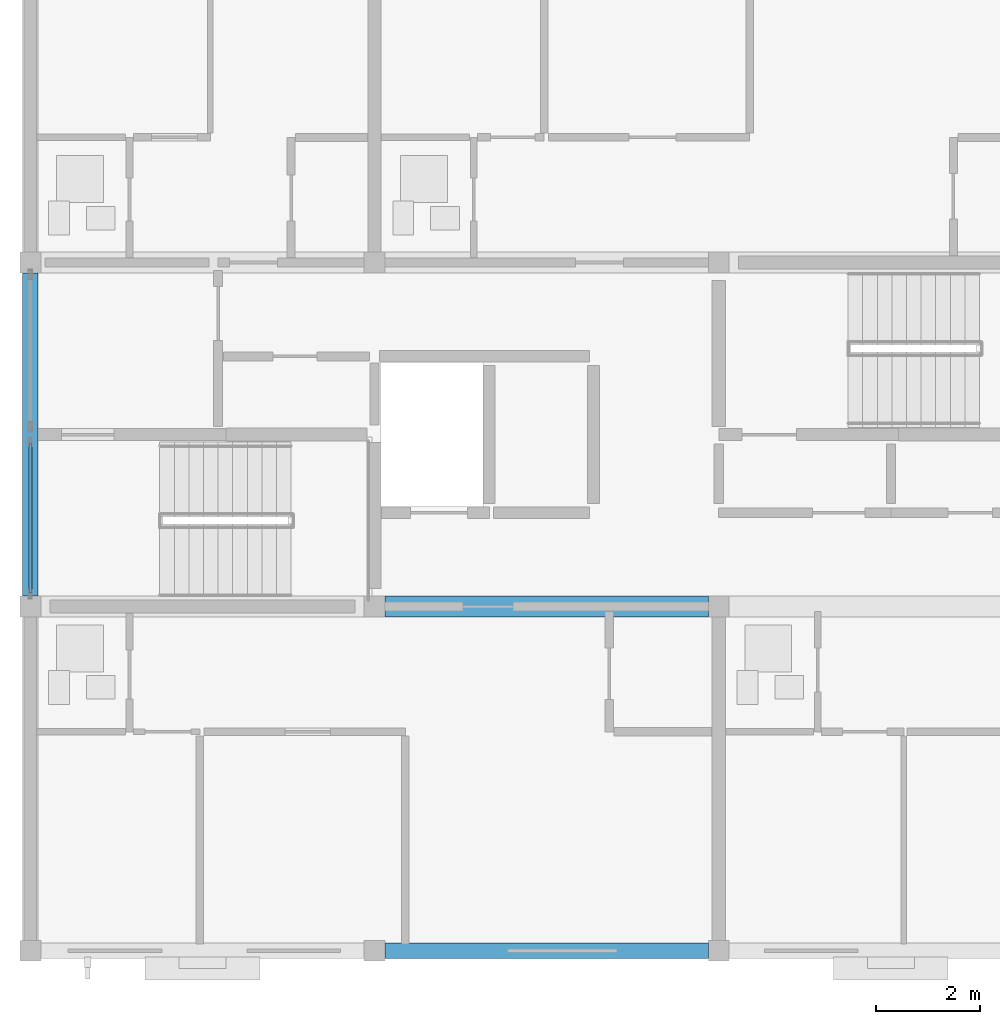
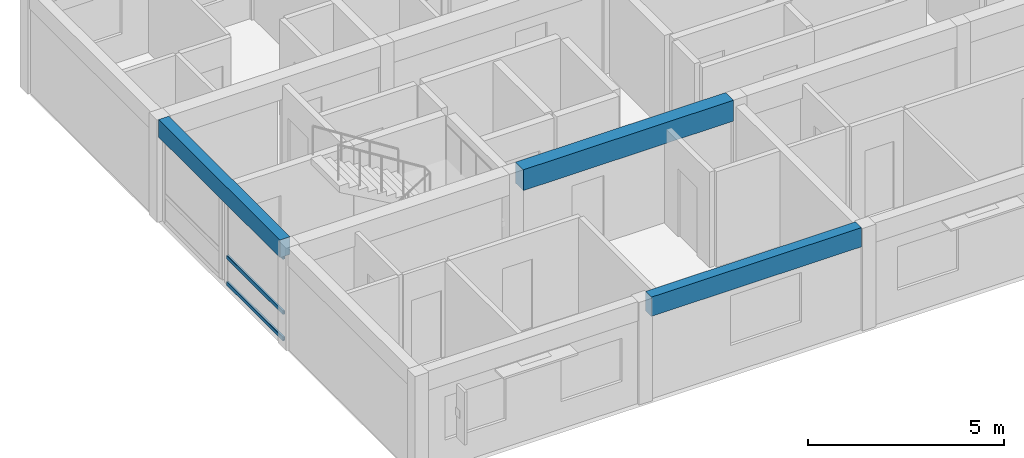
# One storey, part 3 of 15: 3 beams, 3 members, 1 element without a shape of its own.
"""IFC4 building model written with IfcOpenShell, lengths in metres."""

import ifcopenshell
import ifcopenshell.guid

model = None  # the IFC model being written
_history = None  # IfcOwnerHistory: only IFC2X3 demands one
_inside = {}  # id of a spatial element -> (the spatial element, [elements in it])
_under = {}  # id of a project, library or spatial element -> (it, [spatial elements below it])
_declared = {}  # id of a project -> (the project, [libraries it declares])
_typed = {}  # id of a type object -> (the type object, [elements of that type])
_made_of = {}  # id of a material, layer set ... -> (it, [elements and type objects made of it])


def new_model(schema):
    """Start an empty IFC model of exactly this schema.

    Asked for "IFC4X3", IfcOpenShell would pick the latest addendum, in which some entities
    have other attributes; the version numbers below select the first issue.
    IFC2X3 requires an IfcOwnerHistory on every rooted entity: one is made here for all.
    """
    global model, _history
    if schema == "IFC4X3":
        model = ifcopenshell.file(schema_version=(4, 3, 0, 0))
    else:
        model = ifcopenshell.file(schema=schema)
    _inside.clear()
    _under.clear()
    _declared.clear()
    _typed.clear()
    _made_of.clear()
    _history = None
    if model.schema == "IFC2X3":
        org = make("IfcOrganization", Name="unknown")
        user = make(
            "IfcPersonAndOrganization",
            ThePerson=make("IfcPerson", FamilyName="unknown"),
            TheOrganization=org,
        )
        app = make(
            "IfcApplication",
            ApplicationDeveloper=org,
            Version="unknown",
            ApplicationFullName="unknown",
            ApplicationIdentifier="unknown",
        )
        _history = make(
            "IfcOwnerHistory",
            OwningUser=user,
            OwningApplication=app,
            ChangeAction="ADDED",
            CreationDate=0,
        )
    return model


def make(cls, **values):
    """One entity of the class cls with the attributes given. An attribute that is None is left unset."""
    return model.create_entity(
        cls, **{name: value for name, value in values.items() if value is not None}
    )


def rooted(cls, **values):
    """An entity with a GlobalId (a new one), such as an element, a storey or a relation."""
    return make(cls, GlobalId=ifcopenshell.guid.new(), OwnerHistory=_history, **values)


def si_unit(unit_type, name, prefix=None):
    """IfcSIUnit, for example si_unit("LENGTHUNIT", "METRE", prefix="MILLI")."""
    return make("IfcSIUnit", UnitType=unit_type, Prefix=prefix, Name=name)


def assignment(units):
    """IfcUnitAssignment: the units of a project."""
    return None if units is None else make("IfcUnitAssignment", Units=units)


def point(xyz):
    """IfcCartesianPoint."""
    return None if xyz is None else make("IfcCartesianPoint", Coordinates=xyz)


def direction(xyz):
    """IfcDirection."""
    return None if xyz is None else make("IfcDirection", DirectionRatios=xyz)


def frame(location, z_axis=None, x_axis=None):
    """IfcAxis2Placement3D, a coordinate frame: its origin and axes. An axis left out is left unset."""
    return make(
        "IfcAxis2Placement3D",
        Location=point(location),
        Axis=direction(z_axis),
        RefDirection=direction(x_axis),
    )


def frame_2d(location, x_axis=None):
    """IfcAxis2Placement2D, a coordinate frame in the plane: its origin and x axis."""
    return make(
        "IfcAxis2Placement2D", Location=point(location), RefDirection=direction(x_axis)
    )


def origin():
    """The frame at (0, 0, 0) with its axes left unset."""
    return frame((0.0, 0.0, 0.0))


def origin_2d():
    """The frame at (0, 0) in the plane with its x axis left unset."""
    return frame_2d((0.0, 0.0))


def place(relative_to, where):
    """IfcLocalPlacement: puts the frame where relative to a parent placement (None: the world)."""
    return make(
        "IfcLocalPlacement", PlacementRelTo=relative_to, RelativePlacement=where
    )


def context(
    kind, dimensions, precision=None, world=None, true_north=None, identifier=None
):
    """IfcGeometricRepresentationContext, for example the 3D "Model" context."""
    return make(
        "IfcGeometricRepresentationContext",
        ContextIdentifier=identifier,
        ContextType=kind,
        CoordinateSpaceDimension=dimensions,
        Precision=precision,
        WorldCoordinateSystem=world,
        TrueNorth=true_north,
    )


def subcontext(parent, identifier, kind, view, scale=None):
    """IfcGeometricRepresentationSubContext, for example "Body" below "Model"."""
    return make(
        "IfcGeometricRepresentationSubContext",
        ContextIdentifier=identifier,
        ContextType=kind,
        ParentContext=parent,
        TargetScale=scale,
        TargetView=view,
    )


def project(units=None, contexts=None):
    """IfcProject with its units and contexts."""
    return rooted(
        "IfcProject",
        Name="project",
        RepresentationContexts=contexts,
        UnitsInContext=assignment(units),
    )


def spatial(cls, under=None, at=None, **own):
    """A site, building, storey or space (cls), placed at a placement, below another one or the project."""
    s = rooted(cls, ObjectPlacement=at, **own)
    if under is not None:
        _under.setdefault(under.id(), (under, []))[1].append(s)
    return s


def profile(cls, at=None, kind="AREA", **sizes):
    """A parametric profile (cls). Its sizes go by their IFC names, for example OverallWidth=200.0."""
    return make(cls, ProfileType=kind, Position=at, **sizes)


def rectangle(**sizes):
    """IfcRectangleProfileDef."""
    return profile("IfcRectangleProfileDef", **sizes)


def hollow_rectangle(**sizes):
    """IfcRectangleHollowProfileDef."""
    return profile("IfcRectangleHollowProfileDef", **sizes)


def extrude(swept, where, along, depth):
    """IfcExtrudedAreaSolid: the profile swept, set in the frame where, extruded along a direction by depth."""
    return make(
        "IfcExtrudedAreaSolid",
        SweptArea=swept,
        Position=where,
        ExtrudedDirection=direction(along),
        Depth=depth,
    )


def shape(context_of_items, identifier, shape_type, items):
    """IfcShapeRepresentation: the items that make up one representation, for example the "Body"."""
    return make(
        "IfcShapeRepresentation",
        ContextOfItems=context_of_items,
        RepresentationIdentifier=identifier,
        RepresentationType=shape_type,
        Items=items,
    )


def material(Name=None, Category=None):
    """IfcMaterial."""
    return make("IfcMaterial", Name=Name, Category=Category)


def material_profile(
    of_material, cross_section, Name=None, Category=None, Priority=None
):
    """IfcMaterialProfile: a cross section and its material."""
    return make(
        "IfcMaterialProfile",
        Name=Name,
        Material=of_material,
        Profile=cross_section,
        Priority=Priority,
        Category=Category,
    )


def profile_set(profiles, Name=None, composite=None):
    """IfcMaterialProfileSet."""
    return make(
        "IfcMaterialProfileSet",
        Name=Name,
        MaterialProfiles=profiles,
        CompositeProfile=composite,
    )


def made_of(thing, what):
    """Note that an element or type object is made of a material, layer set ...; save() writes the relation."""
    if what is not None:
        _made_of.setdefault(what.id(), (what, []))[1].append(thing)
    return thing


def type_object(cls, material=None, **own):
    """A type object (cls), such as IfcWallType, which elements share."""
    return made_of(rooted(cls, **own), material)


def element(
    cls,
    number,
    at=None,
    inside=None,
    cuts=None,
    type_object=None,
    material=None,
    context=None,
    identifier="Body",
    shape_type=None,
    held_by="IfcProductDefinitionShape",
    body=None,
    shapes=None,
    **own,
):
    """One element of the class cls, such as IfcWall. Its Tag is "e" and its number.

    at: its placement. inside: the storey or other place that contains it. cuts: it is an
    opening in that element (IfcRelVoidsElement). A single representation is given by context,
    identifier, shape_type and body (its items); several are given by shapes. held_by: the class
    of the entity that holds the representations. save() writes the other relations.
    """
    e = rooted(cls, Tag="e%d" % number, ObjectPlacement=at, **own)
    if body is not None:
        shapes = [shape(context, identifier, shape_type, body)]
    if shapes is not None:
        e.Representation = make(held_by, Representations=shapes)
    if inside is not None:
        _inside.setdefault(inside.id(), (inside, []))[1].append(e)
    if cuts is not None:
        rooted(
            "IfcRelVoidsElement", RelatingBuildingElement=cuts, RelatedOpeningElement=e
        )
    if type_object is not None:
        _typed.setdefault(type_object.id(), (type_object, []))[1].append(e)
    return made_of(e, material)


def aggregate(whole, parts):
    """IfcRelAggregates: a whole, such as a stair, and the parts it consists of."""
    return rooted("IfcRelAggregates", RelatingObject=whole, RelatedObjects=parts)


def save(model, path):
    """Write the relations noted so far, then the file.

    IfcRelAggregates (storeys below a building ...), IfcRelContainedInSpatialStructure (elements
    in a storey), IfcRelDefinesByType, IfcRelAssociatesMaterial and IfcRelDeclares: one each for
    every whole, place, type object, material and project.
    """
    for whole, parts in _under.values():
        aggregate(whole, parts)
    for where, things in _inside.values():
        rooted(
            "IfcRelContainedInSpatialStructure",
            RelatedElements=things,
            RelatingStructure=where,
        )
    for kind, things in _typed.values():
        rooted("IfcRelDefinesByType", RelatedObjects=things, RelatingType=kind)
    for what, things in _made_of.values():
        rooted("IfcRelAssociatesMaterial", RelatedObjects=things, RelatingMaterial=what)
    for by, libraries in _declared.values():
        rooted("IfcRelDeclares", RelatingContext=by, RelatedDefinitions=libraries)
    model.write(path)


model = new_model("IFC4")

# Units and contexts
model_context = context("Model", 3, precision=1e-05, world=origin(), true_north=direction((0.0, 1.0)))
body_context = subcontext(model_context, "Body", "Model", "MODEL_VIEW")
ifc_project = project(units=[si_unit("LENGTHUNIT", "METRE"), si_unit("AREAUNIT", "SQUARE_METRE"), si_unit("VOLUMEUNIT", "CUBIC_METRE"), si_unit("PLANEANGLEUNIT", "RADIAN"), si_unit("MASSUNIT", "GRAM", prefix="KILO")], contexts=[model_context])

# Site, building, storey
site_placement = place(None, origin())
site = spatial("IfcSite", under=ifc_project, at=site_placement, CompositionType="ELEMENT")
building_placement = place(site_placement, origin())
building = spatial("IfcBuilding", under=site, at=building_placement, Name="Kernevlak Ridge Housing Community", CompositionType="ELEMENT")
storey_placement = place(building_placement, frame((0.0, 0.0, 50.0)))
storey = spatial("IfcBuildingStorey", under=building, at=storey_placement, Name="L15", CompositionType="ELEMENT", Elevation=50.0)

# Beams
ifc_material_1 = material(Name="Concrete C35/45", Category="concrete")
ifc_material_profile_1 = material_profile(ifc_material_1, rectangle(XDim=0.39990234375, YDim=0.64990234375, at=origin_2d()), Name="RC 400x650")
ifc_profile_set_1 = profile_set([ifc_material_profile_1], Name="Concrete C35/45")
beam_type_1 = type_object("IfcBeamType", Name="B-03", PredefinedType="T_BEAM", material=ifc_profile_set_1)
beam_1_placement = place(storey_placement, frame((22.39990234375, 82.60009765625, 2.875), z_axis=(1.0, 0.0, 0.0), x_axis=(0.0, 1.0, 0.0)))
element("IfcBeam", 1, at=beam_1_placement, inside=storey, type_object=beam_type_1, Name="Beam B-03 L15 453", PredefinedType="T_BEAM", context=body_context, shape_type="SweptSolid", body=[
    extrude(rectangle(XDim=0.39990234375, YDim=0.64990234375, at=origin_2d()), origin(), (0.0, 0.0, 1.0), 6.2001953125),
])
ifc_material_profile_2 = material_profile(ifc_material_1, rectangle(XDim=0.300048828125, YDim=0.550048828125, at=origin_2d()), Name="RC 300x550")
ifc_profile_set_2 = profile_set([ifc_material_profile_2], Name="Concrete C35/45")
beam_type_2 = type_object("IfcBeamType", Name="SP-01", PredefinedType="SPANDREL", material=ifc_profile_set_2)
beam_2_placement = place(storey_placement, frame((15.60009765625, 82.800048828125, 2.925048828125), z_axis=(0.0, 1.0, 0.0), x_axis=(-1.0, 0.0, 0.0)))
element("IfcBeam", 2, at=beam_2_placement, inside=storey, type_object=beam_type_2, Name="Beam SP-01 L15 468", PredefinedType="SPANDREL", context=body_context, shape_type="SweptSolid", body=[
    extrude(rectangle(XDim=0.300048828125, YDim=0.550048828125, at=origin_2d()), origin(), (0.0, 0.0, 1.0), 6.199951171875),
])
ifc_material_profile_3 = material_profile(ifc_material_1, rectangle(XDim=0.300048828125, YDim=0.60009765625, at=origin_2d()), Name="RC 300x600")
ifc_profile_set_3 = profile_set([ifc_material_profile_3], Name="Concrete C35/45")
beam_type_3 = type_object("IfcBeamType", Name="SP-02", PredefinedType="SPANDREL", material=ifc_profile_set_3)
beam_3_placement = place(storey_placement, frame((22.39990234375, 76.0, 2.89990234375), z_axis=(1.0, 0.0, 0.0), x_axis=(0.0, 1.0, 0.0)))
element("IfcBeam", 3, at=beam_3_placement, inside=storey, type_object=beam_type_3, Name="Beam SP-02 L15 448", PredefinedType="SPANDREL", context=body_context, shape_type="SweptSolid", body=[
    extrude(rectangle(XDim=0.300048828125, YDim=0.60009765625, at=origin_2d()), origin(), (0.0, 0.0, 1.0), 6.2001953125),
])

# Curtain wall, members
ifc_material_2 = material(Name="Aluminium EN AW-6060 anodised and laminated glass", Category="aluminium")
curtain_wall_type = type_object("IfcCurtainWallType", Name="CW-01", PredefinedType="NOTDEFINED", material=ifc_material_2)
curtain_wall_placement = place(storey_placement, origin())
curtain_wall = element("IfcCurtainWall", 4, at=curtain_wall_placement, inside=storey, type_object=curtain_wall_type, Name="Curtain wall CW-01 CW-L15-046", PredefinedType="NOTDEFINED")
ifc_material_3 = material(Name="Aluminium EN AW-6060 anodised", Category="aluminium")
ifc_material_profile_4 = material_profile(ifc_material_3, hollow_rectangle(XDim=0.06005859375, YDim=0.1201171875, WallThickness=0.00390625, InnerFilletRadius=0.001953125, OuterFilletRadius=0.00390625, at=origin_2d()), Name="ALU 60x120x4")
ifc_profile_set_4 = profile_set([ifc_material_profile_4], Name="Aluminium EN AW-6060 anodised")
member_type = type_object("IfcMemberType", Name="TM-02", PredefinedType="USERDEFINED", material=ifc_profile_set_4)
member_1_placement = place(storey_placement, frame((15.60009765625, 82.860107421875, 0.030029296875), z_axis=(0.0, 1.0, 0.0), x_axis=(-1.0, 0.0, 0.0)))
member_1 = element("IfcMember", 5, at=member_1_placement, type_object=member_type, Name="CW-01 transom 1.1", ObjectType="TRANSOM", PredefinedType="USERDEFINED", context=body_context, shape_type="SweptSolid", body=[
    extrude(hollow_rectangle(XDim=0.06005859375, YDim=0.1201171875, WallThickness=0.00390625, InnerFilletRadius=0.001953125, OuterFilletRadius=0.00390625, at=origin_2d()), origin(), (0.0, 0.0, 1.0), 2.869873046875),
])
member_2_placement = place(storey_placement, frame((15.60009765625, 82.860107421875, 0.85009765625), z_axis=(0.0, 1.0, 0.0), x_axis=(-1.0, 0.0, 0.0)))
member_2 = element("IfcMember", 6, at=member_2_placement, type_object=member_type, Name="CW-01 transom 1.2", ObjectType="TRANSOM", PredefinedType="USERDEFINED", context=body_context, shape_type="SweptSolid", body=[
    extrude(hollow_rectangle(XDim=0.06005859375, YDim=0.1201171875, WallThickness=0.00390625, InnerFilletRadius=0.001953125, OuterFilletRadius=0.00390625, at=origin_2d()), origin(), (0.0, 0.0, 1.0), 2.869873046875),
])
member_3_placement = place(storey_placement, frame((15.60009765625, 82.860107421875, 2.570068359375), z_axis=(0.0, 1.0, 0.0), x_axis=(-1.0, 0.0, 0.0)))
member_3 = element("IfcMember", 7, at=member_3_placement, type_object=member_type, Name="CW-01 transom 1.3", ObjectType="TRANSOM", PredefinedType="USERDEFINED", context=body_context, shape_type="SweptSolid", body=[
    extrude(hollow_rectangle(XDim=0.06005859375, YDim=0.1201171875, WallThickness=0.00390625, InnerFilletRadius=0.001953125, OuterFilletRadius=0.00390625, at=origin_2d()), origin(), (0.0, 0.0, 1.0), 2.869873046875),
])
aggregate(curtain_wall, [member_1, member_2, member_3])

save(model, "model.ifc")
